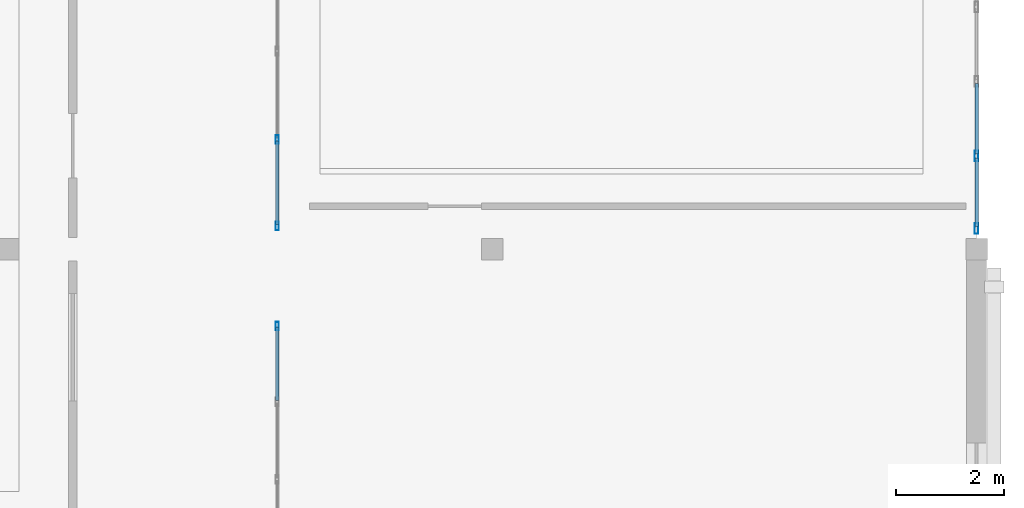
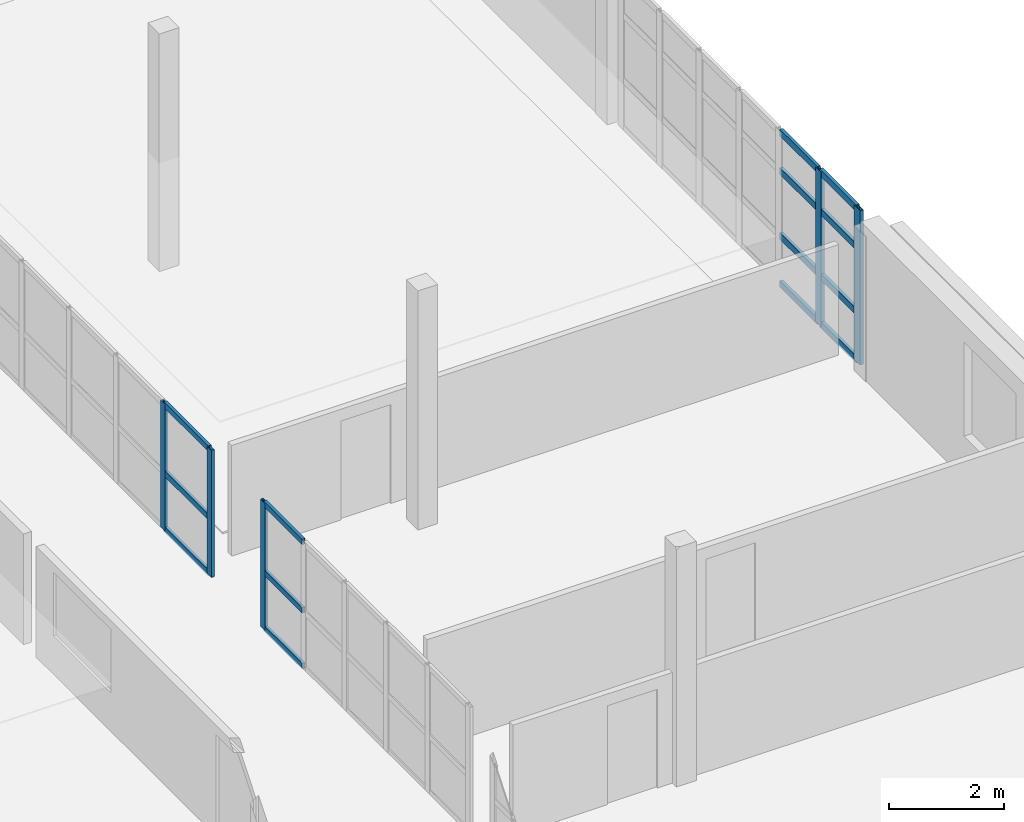
# One storey, part 11 of 30: 19 members, 3 elements without a shape of their own.
"""IFC4 building model written with IfcOpenShell, lengths in metres."""

from ifc_helpers import new_model, si_unit, direction, frame, origin, origin_2d, place, context, subcontext, project, spatial, hollow_rectangle, extrude, material, layer, layer_set, material_profile, profile_set, type_object, element, aggregate, save


model = new_model("IFC4")

# Units and contexts
model_context = context("Model", 3, precision=1e-05, world=origin(), true_north=direction((0.0, 1.0)))
body_context = subcontext(model_context, "Body", "Model", "MODEL_VIEW")
ifc_project = project(units=[si_unit("LENGTHUNIT", "METRE"), si_unit("AREAUNIT", "SQUARE_METRE"), si_unit("VOLUMEUNIT", "CUBIC_METRE"), si_unit("PLANEANGLEUNIT", "RADIAN"), si_unit("MASSUNIT", "GRAM", prefix="KILO")], contexts=[model_context])

# Site, building, storey
site_placement = place(None, origin())
site = spatial("IfcSite", under=ifc_project, at=site_placement, CompositionType="ELEMENT")
building_placement = place(site_placement, origin())
building = spatial("IfcBuilding", under=site, at=building_placement, Name="Ornek Quay Market", CompositionType="ELEMENT")
storey_placement = place(building_placement, frame((0.0, 0.0, 12.0)))
storey = spatial("IfcBuildingStorey", under=building, at=storey_placement, Name="L03", CompositionType="ELEMENT", Elevation=12.0)

# Curtain wall, member
ifc_material_1 = material(Name="Anodised bronze aluminium and triple low-e glass", Category="aluminium")
ifc_layer_1 = layer(ifc_material_1, 0.139892578125, Name="Anodised bronze aluminium and triple low-e glass", Category="aluminium")
ifc_layer_set_1 = layer_set([ifc_layer_1], Name="Anodised bronze aluminium and triple low-e glass")
curtain_wall_type_1 = type_object("IfcCurtainWallType", Name="CW-GALLERY-INT", PredefinedType="USERDEFINED", material=ifc_layer_set_1)
curtain_wall_1_placement = place(storey_placement, origin())
curtain_wall_1 = element("IfcCurtainWall", 1, at=curtain_wall_1_placement, inside=storey, type_object=curtain_wall_type_1, Name="Curtain wall CW-172", ObjectType="CURTAIN WALL", PredefinedType="USERDEFINED")
ifc_material_2 = material(Name="Anodised aluminium 6063-T6", Category="aluminium")
ifc_material_profile_1 = material_profile(ifc_material_2, hollow_rectangle(XDim=0.06005859375, YDim=0.159912109375, WallThickness=0.00390625, at=origin_2d()), Name="CW-MUL-60x160", Category="aluminium")
ifc_profile_set_1 = profile_set([ifc_material_profile_1], Name="Anodised aluminium 6063-T6")
member_type_1 = type_object("IfcMemberType", Name="CW-MUL-60x160", PredefinedType="MULLION", material=ifc_profile_set_1)
member_1_placement = place(storey_placement, frame((167.0, 45.570068359375, 0.0), z_axis=(0.0, 0.0, 1.0), x_axis=(-1.0, 0.0, 0.0)))
member_1 = element("IfcMember", 2, at=member_1_placement, type_object=member_type_1, Name="CW-172 mullion 6", PredefinedType="MULLION", context=body_context, shape_type="SweptSolid", body=[
    extrude(hollow_rectangle(XDim=0.06005859375, YDim=0.159912109375, WallThickness=0.00390625, at=origin_2d()), origin(), (0.0, 0.0, 1.0), 2.699951171875),
])

# Curtain wall, members
curtain_wall_2_placement = place(storey_placement, origin())
curtain_wall_2 = element("IfcCurtainWall", 3, at=curtain_wall_2_placement, inside=storey, type_object=curtain_wall_type_1, Name="Curtain wall CW-173", ObjectType="CURTAIN WALL", PredefinedType="USERDEFINED")
member_2_placement = place(storey_placement, frame((167.0, 47.429931640625, 0.0), z_axis=(0.0, 0.0, 1.0), x_axis=(-1.0, 0.0, 0.0)))
member_2 = element("IfcMember", 4, at=member_2_placement, type_object=member_type_1, Name="CW-173 mullion 1", PredefinedType="MULLION", context=body_context, shape_type="SweptSolid", body=[
    extrude(hollow_rectangle(XDim=0.06005859375, YDim=0.159912109375, WallThickness=0.00390625, at=origin_2d()), origin(), (0.0, 0.0, 1.0), 2.699951171875),
])
member_3_placement = place(storey_placement, frame((167.0, 49.0400390625, 0.0), z_axis=(0.0, 0.0, 1.0), x_axis=(-1.0, 0.0, 0.0)))
member_3 = element("IfcMember", 5, at=member_3_placement, type_object=member_type_1, Name="CW-173 mullion 2", PredefinedType="MULLION", context=body_context, shape_type="SweptSolid", body=[
    extrude(hollow_rectangle(XDim=0.06005859375, YDim=0.159912109375, WallThickness=0.00390625, at=origin_2d()), origin(), (0.0, 0.0, 1.0), 2.699951171875),
])

ifc_layer_2 = layer(ifc_material_1, 0.18994140625, Name="Anodised bronze aluminium and triple low-e glass", Category="aluminium")
ifc_layer_set_2 = layer_set([ifc_layer_2], Name="Anodised bronze aluminium and triple low-e glass")
curtain_wall_type_2 = type_object("IfcCurtainWallType", Name="CW-FC-MOD1500", PredefinedType="USERDEFINED", material=ifc_layer_set_2)
curtain_wall_3_placement = place(storey_placement, origin())
curtain_wall_3 = element("IfcCurtainWall", 6, at=curtain_wall_3_placement, inside=storey, type_object=curtain_wall_type_2, Name="Curtain wall CW-096", ObjectType="CURTAIN WALL", PredefinedType="USERDEFINED")
ifc_material_profile_2 = material_profile(ifc_material_2, hollow_rectangle(XDim=0.070068359375, YDim=0.199951171875, WallThickness=0.0048828125, at=origin_2d()), Name="CW-MUL-70x200", Category="aluminium")
ifc_profile_set_2 = profile_set([ifc_material_profile_2], Name="Anodised aluminium 6063-T6")
member_type_2 = type_object("IfcMemberType", Name="CW-MUL-70x200", PredefinedType="MULLION", material=ifc_profile_set_2)
member_4_placement = place(storey_placement, frame((180.0, 47.385009765625, 0.0), z_axis=(0.0, 0.0, 1.0), x_axis=(-1.0, 0.0, 0.0)))
member_4 = element("IfcMember", 7, at=member_4_placement, type_object=member_type_2, Name="CW-096 mullion 1", PredefinedType="MULLION", context=body_context, shape_type="SweptSolid", body=[
    extrude(hollow_rectangle(XDim=0.070068359375, YDim=0.199951171875, WallThickness=0.0048828125, at=origin_2d()), origin(), (0.0, 0.0, 1.0), 3.280029296875),
])
member_5_placement = place(storey_placement, frame((180.0, 48.7333984375, 0.0), z_axis=(0.0, 0.0, 1.0), x_axis=(-1.0, 0.0, 0.0)))
member_5 = element("IfcMember", 8, at=member_5_placement, type_object=member_type_2, Name="CW-096 mullion 2", PredefinedType="MULLION", context=body_context, shape_type="SweptSolid", body=[
    extrude(hollow_rectangle(XDim=0.070068359375, YDim=0.199951171875, WallThickness=0.0048828125, at=origin_2d()), origin(), (0.0, 0.0, 1.0), 3.280029296875),
])

# Member
ifc_material_profile_3 = material_profile(ifc_material_2, hollow_rectangle(XDim=0.06005859375, YDim=0.1201171875, WallThickness=0.00390625, at=origin_2d()), Name="CW-TRN-60x120", Category="aluminium")
ifc_profile_set_3 = profile_set([ifc_material_profile_3], Name="Anodised aluminium 6063-T6")
member_type_3 = type_object("IfcMemberType", Name="CW-TRN-60x120", PredefinedType="USERDEFINED", material=ifc_profile_set_3)
member_6_placement = place(storey_placement, frame((167.0, 44.18994140625, 0.030029296875), z_axis=(0.0, 1.0, 0.0), x_axis=(-1.0, 0.0, 0.0)))
member_6 = element("IfcMember", 9, at=member_6_placement, type_object=member_type_3, Name="CW-172 transom 5.1", ObjectType="TRANSOM", PredefinedType="USERDEFINED", context=body_context, shape_type="SweptSolid", body=[
    extrude(hollow_rectangle(XDim=0.06005859375, YDim=0.1201171875, WallThickness=0.00390625, at=origin_2d()), origin(), (0.0, 0.0, 1.0), 1.35009765625),
])

member_7_placement = place(storey_placement, frame((167.0, 44.18994140625, 1.215087890625), z_axis=(0.0, 1.0, 0.0), x_axis=(-1.0, 0.0, 0.0)))
member_7 = element("IfcMember", 10, at=member_7_placement, type_object=member_type_3, Name="CW-172 transom 5.2", ObjectType="TRANSOM", PredefinedType="USERDEFINED", context=body_context, shape_type="SweptSolid", body=[
    extrude(hollow_rectangle(XDim=0.06005859375, YDim=0.1201171875, WallThickness=0.00390625, at=origin_2d()), origin(), (0.0, 0.0, 1.0), 1.35009765625),
])

member_8_placement = place(storey_placement, frame((167.0, 44.18994140625, 2.669921875), z_axis=(0.0, 1.0, 0.0), x_axis=(-1.0, 0.0, 0.0)))
member_8 = element("IfcMember", 11, at=member_8_placement, type_object=member_type_3, Name="CW-172 transom 5.3", ObjectType="TRANSOM", PredefinedType="USERDEFINED", context=body_context, shape_type="SweptSolid", body=[
    extrude(hollow_rectangle(XDim=0.06005859375, YDim=0.1201171875, WallThickness=0.00390625, at=origin_2d()), origin(), (0.0, 0.0, 1.0), 1.35009765625),
])

aggregate(curtain_wall_1, [member_1, member_6, member_7, member_8])

member_9_placement = place(storey_placement, frame((167.0, 47.4599609375, 0.030029296875), z_axis=(0.0, 1.0, 0.0), x_axis=(-1.0, 0.0, 0.0)))
member_9 = element("IfcMember", 12, at=member_9_placement, type_object=member_type_3, Name="CW-173 transom 1.1", ObjectType="TRANSOM", PredefinedType="USERDEFINED", context=body_context, shape_type="SweptSolid", body=[
    extrude(hollow_rectangle(XDim=0.06005859375, YDim=0.1201171875, WallThickness=0.00390625, at=origin_2d()), origin(), (0.0, 0.0, 1.0), 1.550048828125),
])

member_10_placement = place(storey_placement, frame((167.0, 47.4599609375, 1.215087890625), z_axis=(0.0, 1.0, 0.0), x_axis=(-1.0, 0.0, 0.0)))
member_10 = element("IfcMember", 13, at=member_10_placement, type_object=member_type_3, Name="CW-173 transom 1.2", ObjectType="TRANSOM", PredefinedType="USERDEFINED", context=body_context, shape_type="SweptSolid", body=[
    extrude(hollow_rectangle(XDim=0.06005859375, YDim=0.1201171875, WallThickness=0.00390625, at=origin_2d()), origin(), (0.0, 0.0, 1.0), 1.550048828125),
])

member_11_placement = place(storey_placement, frame((167.0, 47.4599609375, 2.669921875), z_axis=(0.0, 1.0, 0.0), x_axis=(-1.0, 0.0, 0.0)))
member_11 = element("IfcMember", 14, at=member_11_placement, type_object=member_type_3, Name="CW-173 transom 1.3", ObjectType="TRANSOM", PredefinedType="USERDEFINED", context=body_context, shape_type="SweptSolid", body=[
    extrude(hollow_rectangle(XDim=0.06005859375, YDim=0.1201171875, WallThickness=0.00390625, at=origin_2d()), origin(), (0.0, 0.0, 1.0), 1.550048828125),
])

aggregate(curtain_wall_2, [member_2, member_3, member_9, member_10, member_11])

ifc_material_profile_4 = material_profile(ifc_material_2, hollow_rectangle(XDim=0.06494140625, YDim=0.139892578125, WallThickness=0.00439453125, at=origin_2d()), Name="CW-TRN-65x140", Category="aluminium")
ifc_profile_set_4 = profile_set([ifc_material_profile_4], Name="Anodised aluminium 6063-T6")
member_type_4 = type_object("IfcMemberType", Name="CW-TRN-65x140", PredefinedType="USERDEFINED", material=ifc_profile_set_4)
member_12_placement = place(storey_placement, frame((180.0, 47.419921875, 0.032470703125), z_axis=(0.0, 1.0, 0.0), x_axis=(-1.0, 0.0, 0.0)))
member_12 = element("IfcMember", 15, at=member_12_placement, type_object=member_type_4, Name="CW-096 transom 1.1", ObjectType="TRANSOM", PredefinedType="USERDEFINED", context=body_context, shape_type="SweptSolid", body=[
    extrude(hollow_rectangle(XDim=0.06494140625, YDim=0.139892578125, WallThickness=0.00439453125, at=origin_2d()), origin(), (0.0, 0.0, 1.0), 1.2783203125),
])

member_13_placement = place(storey_placement, frame((180.0, 47.419921875, 1.050048828125), z_axis=(0.0, 1.0, 0.0), x_axis=(-1.0, 0.0, 0.0)))
member_13 = element("IfcMember", 16, at=member_13_placement, type_object=member_type_4, Name="CW-096 transom 1.2", ObjectType="TRANSOM", PredefinedType="USERDEFINED", context=body_context, shape_type="SweptSolid", body=[
    extrude(hollow_rectangle(XDim=0.06494140625, YDim=0.139892578125, WallThickness=0.00439453125, at=origin_2d()), origin(), (0.0, 0.0, 1.0), 1.2783203125),
])

member_14_placement = place(storey_placement, frame((180.0, 47.419921875, 2.429931640625), z_axis=(0.0, 1.0, 0.0), x_axis=(-1.0, 0.0, 0.0)))
member_14 = element("IfcMember", 17, at=member_14_placement, type_object=member_type_4, Name="CW-096 transom 1.3", ObjectType="TRANSOM", PredefinedType="USERDEFINED", context=body_context, shape_type="SweptSolid", body=[
    extrude(hollow_rectangle(XDim=0.06494140625, YDim=0.139892578125, WallThickness=0.00439453125, at=origin_2d()), origin(), (0.0, 0.0, 1.0), 1.2783203125),
])

member_15_placement = place(storey_placement, frame((180.0, 47.419921875, 3.24755859375), z_axis=(0.0, 1.0, 0.0), x_axis=(-1.0, 0.0, 0.0)))
member_15 = element("IfcMember", 18, at=member_15_placement, type_object=member_type_4, Name="CW-096 transom 1.4", ObjectType="TRANSOM", PredefinedType="USERDEFINED", context=body_context, shape_type="SweptSolid", body=[
    extrude(hollow_rectangle(XDim=0.06494140625, YDim=0.139892578125, WallThickness=0.00439453125, at=origin_2d()), origin(), (0.0, 0.0, 1.0), 1.2783203125),
])

member_16_placement = place(storey_placement, frame((180.0, 48.768310546875, 0.032470703125), z_axis=(0.0, 1.0, 0.0), x_axis=(-1.0, 0.0, 0.0)))
member_16 = element("IfcMember", 19, at=member_16_placement, type_object=member_type_4, Name="CW-096 transom 2.1", ObjectType="TRANSOM", PredefinedType="USERDEFINED", context=body_context, shape_type="SweptSolid", body=[
    extrude(hollow_rectangle(XDim=0.06494140625, YDim=0.139892578125, WallThickness=0.00439453125, at=origin_2d()), origin(), (0.0, 0.0, 1.0), 1.3134765625),
])

member_17_placement = place(storey_placement, frame((180.0, 48.768310546875, 1.050048828125), z_axis=(0.0, 1.0, 0.0), x_axis=(-1.0, 0.0, 0.0)))
member_17 = element("IfcMember", 20, at=member_17_placement, type_object=member_type_4, Name="CW-096 transom 2.2", ObjectType="TRANSOM", PredefinedType="USERDEFINED", context=body_context, shape_type="SweptSolid", body=[
    extrude(hollow_rectangle(XDim=0.06494140625, YDim=0.139892578125, WallThickness=0.00439453125, at=origin_2d()), origin(), (0.0, 0.0, 1.0), 1.3134765625),
])

member_18_placement = place(storey_placement, frame((180.0, 48.768310546875, 2.429931640625), z_axis=(0.0, 1.0, 0.0), x_axis=(-1.0, 0.0, 0.0)))
member_18 = element("IfcMember", 21, at=member_18_placement, type_object=member_type_4, Name="CW-096 transom 2.3", ObjectType="TRANSOM", PredefinedType="USERDEFINED", context=body_context, shape_type="SweptSolid", body=[
    extrude(hollow_rectangle(XDim=0.06494140625, YDim=0.139892578125, WallThickness=0.00439453125, at=origin_2d()), origin(), (0.0, 0.0, 1.0), 1.3134765625),
])

member_19_placement = place(storey_placement, frame((180.0, 48.768310546875, 3.24755859375), z_axis=(0.0, 1.0, 0.0), x_axis=(-1.0, 0.0, 0.0)))
member_19 = element("IfcMember", 22, at=member_19_placement, type_object=member_type_4, Name="CW-096 transom 2.4", ObjectType="TRANSOM", PredefinedType="USERDEFINED", context=body_context, shape_type="SweptSolid", body=[
    extrude(hollow_rectangle(XDim=0.06494140625, YDim=0.139892578125, WallThickness=0.00439453125, at=origin_2d()), origin(), (0.0, 0.0, 1.0), 1.3134765625),
])

aggregate(curtain_wall_3, [member_4, member_5, member_12, member_13, member_14, member_15, member_16, member_17, member_18, member_19])

save(model, "model.ifc")
